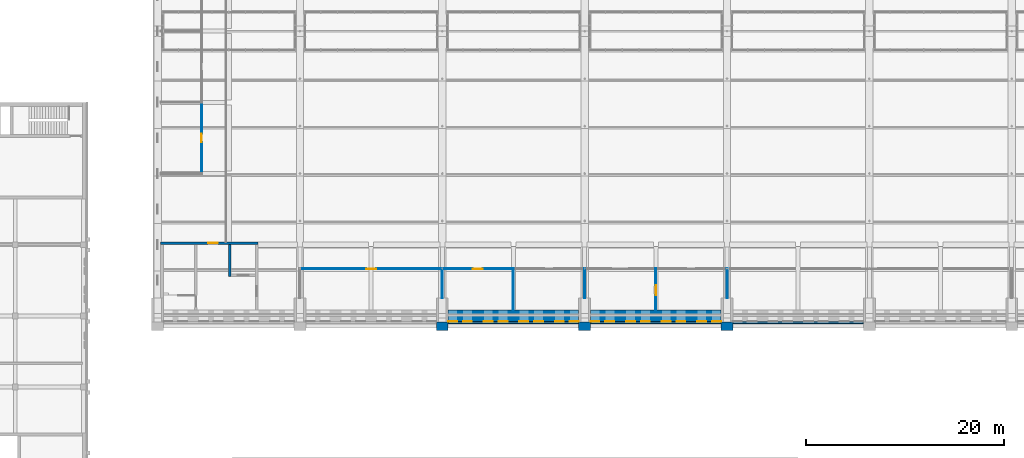
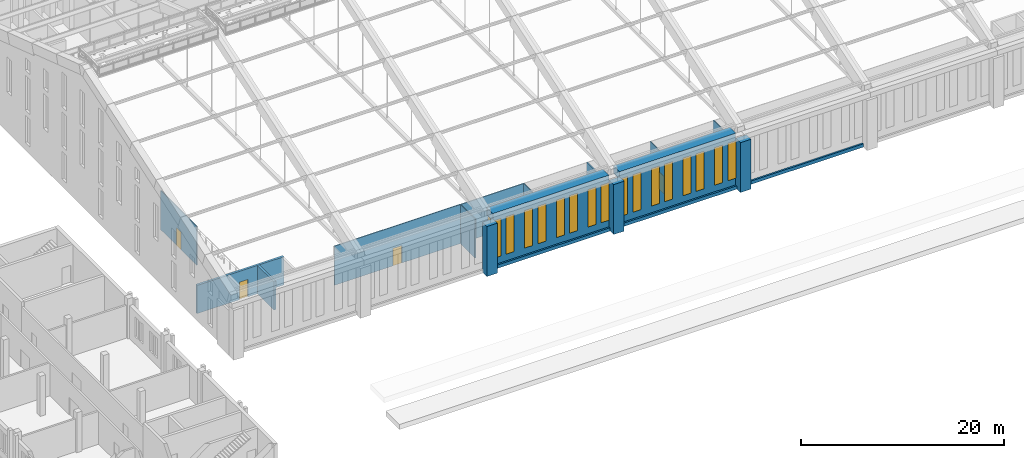
# One storey, part 124 of 149: 18 walls, 16 windows, 5 doors, 21 openings.
"""IFC4 building model written with IfcOpenShell, lengths in metres."""

from ifc_helpers import new_model, si_unit, direction, frame, frame_2d, origin, place, context, subcontext, project, spatial, rectangle, extrude, material, layer, layer_set, type_object, element, fill, save


model = new_model("IFC4")

# Units and contexts
model_context = context("Model", 3, precision=1e-05, world=origin(), true_north=direction((0.0, 1.0)))
body_context = subcontext(model_context, "Body", "Model", "MODEL_VIEW")
ifc_project = project(units=[si_unit("LENGTHUNIT", "METRE"), si_unit("AREAUNIT", "SQUARE_METRE"), si_unit("VOLUMEUNIT", "CUBIC_METRE"), si_unit("PLANEANGLEUNIT", "RADIAN"), si_unit("MASSUNIT", "GRAM", prefix="KILO")], contexts=[model_context])

# Site, building, storey
site_placement = place(None, origin())
site = spatial("IfcSite", under=ifc_project, at=site_placement, CompositionType="ELEMENT")
building_placement = place(site_placement, origin())
building = spatial("IfcBuilding", under=site, at=building_placement, Name="Alderwick Market Hall", CompositionType="ELEMENT")
storey_placement = place(building_placement, frame((0.0, 0.0, 9.60009765625)))
storey = spatial("IfcBuildingStorey", under=building, at=storey_placement, Name="L01", CompositionType="ELEMENT", Elevation=9.60009765625)

# Walls
ifc_material_1 = material(Name="Face brick masonry, ASTM C216 grade SW (f'm 17 MPa)", Category="masonry")
ifc_layer_1 = layer(ifc_material_1, 0.89990234375)
ifc_layer_set_1 = layer_set([ifc_layer_1], Name="Face brick masonry, ASTM C216 grade SW (f'm 17 MPa)")
wall_type_1 = type_object("IfcWallType", Name="H Buttress pier 900", PredefinedType="SOLIDWALL", material=ifc_layer_set_1)
for number, where, z_axis, x_axis, name in (
    (1, (78.60009765625, 49.35009765625, 0.0), (0.0, 0.0, 1.0), (1.0, 0.0, 0.0), "Buttress pier S3"),
    (2, (93.0, 49.35009765625, 0.0), (0.0, 0.0, 1.0), (1.0, 0.0, 0.0), "Buttress pier S4"),
):
    element("IfcWall", number, at=place(storey_placement, frame(where, z_axis=z_axis, x_axis=x_axis)), inside=storey, type_object=wall_type_1, Name=name, PredefinedType="SOLIDWALL", context=body_context, shape_type="SweptSolid", body=[
        extrude(rectangle(XDim=1.199951171875, YDim=0.89990234375, at=frame_2d((0.60009765625, 0.0))), origin(), (0.0, 0.0, 1.0), 6.0),
    ])
wall_1_placement = place(storey_placement, frame((107.39990234375, 49.35009765625, 0.0), z_axis=(0.0, 0.0, 1.0), x_axis=(1.0, 0.0, 0.0)))
element("IfcWall", 3, at=wall_1_placement, inside=storey, type_object=wall_type_1, Name="Buttress pier S5", PredefinedType="SOLIDWALL", context=body_context, shape_type="SweptSolid", body=[
    extrude(rectangle(XDim=1.2001953125, YDim=0.89990234375, at=frame_2d((0.60009765625, 0.0))), origin(), (0.0, 0.0, 1.0), 6.0),
])

# Wall, opening, door
ifc_material_2 = material(Name="Concrete 5000 psi (f'c 35 MPa)", Category="concrete")
ifc_layer_2 = layer(ifc_material_2, 0.25)
ifc_layer_set_2 = layer_set([ifc_layer_2], Name="Concrete 5000 psi (f'c 35 MPa)")
wall_type_2 = type_object("IfcWallType", Name="H Core wall 250", PredefinedType="SOLIDWALL", material=ifc_layer_set_2)
wall_2_placement = place(storey_placement, frame((50.699951171875, 57.764892578125, 0.0), z_axis=(0.0, 0.0, 1.0), x_axis=(1.0, 0.0, 0.0)))
wall_2 = element("IfcWall", 4, at=wall_2_placement, inside=storey, type_object=wall_type_2, Name="Core wall H-SW", PredefinedType="SOLIDWALL", context=body_context, shape_type="SweptSolid", body=[
    extrude(rectangle(XDim=9.85009765625, YDim=0.25, at=frame_2d((4.925048828125, 0.0))), origin(), (0.0, 0.0, 1.0), 3.39990234375),
])
opening_1_placement = place(wall_2_placement, frame((4.800048828125, 0.0, 0.0)))
opening_1 = element("IfcOpeningElement", 5, at=opening_1_placement, cuts=wall_2, Name="Opening H-D024", PredefinedType="OPENING", context=body_context, shape_type="SweptSolid", body=[
    extrude(rectangle(XDim=1.0, YDim=2.10009765625, at=frame_2d((0.5, 1.050048828125))), frame((0.0, 0.135009765625, 0.0), z_axis=(0.0, -1.0, 0.0), x_axis=(1.0, 0.0, 0.0)), (0.0, 0.0, 1.0), 0.27001953125),
])
ifc_material_3 = material(Name="Steel, fire-rated", Category="steel")
door_type_1 = type_object("IfcDoorType", Name="H Stair door FD90 1000x2100", OperationType="SINGLE_SWING_LEFT", PredefinedType="DOOR", material=ifc_material_3)
door_1_placement = place(opening_1_placement, origin())
door_1 = element("IfcDoor", 6, at=door_1_placement, inside=storey, type_object=door_type_1, Name="Door H-D024", OperationType="SINGLE_SWING_LEFT", OverallHeight=2.10009765625, OverallWidth=1.0, PredefinedType="DOOR", context=body_context, shape_type="SweptSolid", body=[
    extrude(rectangle(XDim=1.0, YDim=2.10009765625, at=frame_2d((0.5, 1.050048828125))), frame((0.0, 0.02490234375, 0.0), z_axis=(0.0, -1.0, 0.0), x_axis=(1.0, 0.0, 0.0)), (0.0, 0.0, 1.0), 0.050048828125),
])
fill(opening_1, door_1)

# Wall
wall_3_placement = place(storey_placement, frame((57.675048828125, 54.389892578125, 0.0), z_axis=(0.0, 0.0, 1.0), x_axis=(0.0, 1.0, 0.0)))
element("IfcWall", 7, at=wall_3_placement, inside=storey, type_object=wall_type_2, Name="Core wall H-SW", PredefinedType="SOLIDWALL", context=body_context, shape_type="SweptSolid", body=[
    extrude(rectangle(XDim=3.25, YDim=0.25, at=frame_2d((1.625, 0.0))), origin(), (0.0, 0.0, 1.0), 3.39990234375),
])

# Wall, openings, windows
ifc_layer_3 = layer(ifc_material_2, 1.199951171875)
ifc_layer_set_3 = layer_set([ifc_layer_3], Name="Concrete 5000 psi (f'c 35 MPa)")
wall_type_3 = type_object("IfcWallType", Name="H Long wall 1200", PredefinedType="SOLIDWALL", material=ifc_layer_set_3)
wall_4_placement = place(storey_placement, frame((79.800048828125, 50.39990234375, 0.0), z_axis=(0.0, 0.0, 1.0), x_axis=(1.0, 0.0, 0.0)))
wall_4 = element("IfcWall", 8, at=wall_4_placement, inside=storey, type_object=wall_type_3, Name="Long wall S L01 3", PredefinedType="SOLIDWALL", context=body_context, shape_type="SweptSolid", body=[
    extrude(rectangle(XDim=13.199951171875, YDim=1.199951171875, at=frame_2d((6.60009765625, 0.0))), origin(), (0.0, 0.0, 1.0), 6.599853515625),
])
opening_2_placement = place(wall_4_placement, frame((0.0, 0.0, 1.199951171875)))
opening_2 = element("IfcOpeningElement", 9, at=opening_2_placement, cuts=wall_4, Name="Opening H-W069", PredefinedType="OPENING", context=body_context, shape_type="SweptSolid", body=[
    extrude(rectangle(XDim=0.89990234375, YDim=4.5, at=frame_2d((0.449951171875, 2.25))), frame((0.0, 0.60986328125, 0.0), z_axis=(0.0, -1.0, 0.0), x_axis=(1.0, 0.0, 0.0)), (0.0, 0.0, 1.0), 1.219970703125),
])
opening_3_placement = place(wall_4_placement, frame((1.5, 0.0, 1.199951171875)))
opening_3 = element("IfcOpeningElement", 10, at=opening_3_placement, cuts=wall_4, Name="Opening H-W070", PredefinedType="OPENING", context=body_context, shape_type="SweptSolid", body=[
    extrude(rectangle(XDim=0.89990234375, YDim=4.5, at=frame_2d((0.449951171875, 2.25))), frame((0.0, 0.60986328125, 0.0), z_axis=(0.0, -1.0, 0.0), x_axis=(1.0, 0.0, 0.0)), (0.0, 0.0, 1.0), 1.219970703125),
])
opening_4_placement = place(wall_4_placement, frame((3.60009765625, 0.0, 1.199951171875)))
opening_4 = element("IfcOpeningElement", 11, at=opening_4_placement, cuts=wall_4, Name="Opening H-W071", PredefinedType="OPENING", context=body_context, shape_type="SweptSolid", body=[
    extrude(rectangle(XDim=0.89990234375, YDim=4.5, at=frame_2d((0.449951171875, 2.25))), frame((0.0, 0.60986328125, 0.0), z_axis=(0.0, -1.0, 0.0), x_axis=(1.0, 0.0, 0.0)), (0.0, 0.0, 1.0), 1.219970703125),
])
opening_5_placement = place(wall_4_placement, frame((5.10009765625, 0.0, 1.199951171875)))
opening_5 = element("IfcOpeningElement", 12, at=opening_5_placement, cuts=wall_4, Name="Opening H-W072", PredefinedType="OPENING", context=body_context, shape_type="SweptSolid", body=[
    extrude(rectangle(XDim=0.89990234375, YDim=4.5, at=frame_2d((0.449951171875, 2.25))), frame((0.0, 0.60986328125, 0.0), z_axis=(0.0, -1.0, 0.0), x_axis=(1.0, 0.0, 0.0)), (0.0, 0.0, 1.0), 1.219970703125),
])
opening_6_placement = place(wall_4_placement, frame((7.199951171875, 0.0, 1.199951171875)))
opening_6 = element("IfcOpeningElement", 13, at=opening_6_placement, cuts=wall_4, Name="Opening H-W073", PredefinedType="OPENING", context=body_context, shape_type="SweptSolid", body=[
    extrude(rectangle(XDim=0.89990234375, YDim=4.5, at=frame_2d((0.449951171875, 2.25))), frame((0.0, 0.60986328125, 0.0), z_axis=(0.0, -1.0, 0.0), x_axis=(1.0, 0.0, 0.0)), (0.0, 0.0, 1.0), 1.219970703125),
])
opening_7_placement = place(wall_4_placement, frame((8.699951171875, 0.0, 1.199951171875)))
opening_7 = element("IfcOpeningElement", 14, at=opening_7_placement, cuts=wall_4, Name="Opening H-W074", PredefinedType="OPENING", context=body_context, shape_type="SweptSolid", body=[
    extrude(rectangle(XDim=0.89990234375, YDim=4.5, at=frame_2d((0.449951171875, 2.25))), frame((0.0, 0.60986328125, 0.0), z_axis=(0.0, -1.0, 0.0), x_axis=(1.0, 0.0, 0.0)), (0.0, 0.0, 1.0), 1.219970703125),
])
opening_8_placement = place(wall_4_placement, frame((10.800048828125, 0.0, 1.199951171875)))
opening_8 = element("IfcOpeningElement", 15, at=opening_8_placement, cuts=wall_4, Name="Opening H-W075", PredefinedType="OPENING", context=body_context, shape_type="SweptSolid", body=[
    extrude(rectangle(XDim=0.89990234375, YDim=4.5, at=frame_2d((0.449951171875, 2.25))), frame((0.0, 0.60986328125, 0.0), z_axis=(0.0, -1.0, 0.0), x_axis=(1.0, 0.0, 0.0)), (0.0, 0.0, 1.0), 1.219970703125),
])
opening_9_placement = place(wall_4_placement, frame((12.300048828125, 0.0, 1.199951171875)))
opening_9 = element("IfcOpeningElement", 16, at=opening_9_placement, cuts=wall_4, Name="Opening H-W076", PredefinedType="OPENING", context=body_context, shape_type="SweptSolid", body=[
    extrude(rectangle(XDim=0.89990234375, YDim=4.5, at=frame_2d((0.449951171875, 2.25))), frame((0.0, 0.60986328125, 0.0), z_axis=(0.0, -1.0, 0.0), x_axis=(1.0, 0.0, 0.0)), (0.0, 0.0, 1.0), 1.219970703125),
])
ifc_material_4 = material(Name="Aluminium frame with insulated glass", Category="aluminium")
window_type = type_object("IfcWindowType", Name="H Window 900x4500", PartitioningType="SINGLE_PANEL", PredefinedType="WINDOW", material=ifc_material_4)
window_1_placement = place(opening_2_placement, origin())
window_1 = element("IfcWindow", 17, at=window_1_placement, inside=storey, type_object=window_type, Name="Window H-W069", OverallHeight=4.5, OverallWidth=0.89990234375, PartitioningType="SINGLE_PANEL", PredefinedType="WINDOW", context=body_context, shape_type="SweptSolid", body=[
    extrude(rectangle(XDim=0.89990234375, YDim=4.5, at=frame_2d((0.449951171875, 2.25))), frame((0.0, -0.550048828125, 0.0), z_axis=(0.0, -1.0, 0.0), x_axis=(1.0, 0.0, 0.0)), (0.0, 0.0, 1.0), 0.06005859375),
])
fill(opening_2, window_1)
window_2_placement = place(opening_3_placement, origin())
window_2 = element("IfcWindow", 18, at=window_2_placement, inside=storey, type_object=window_type, Name="Window H-W070", OverallHeight=4.5, OverallWidth=0.89990234375, PartitioningType="SINGLE_PANEL", PredefinedType="WINDOW", context=body_context, shape_type="SweptSolid", body=[
    extrude(rectangle(XDim=0.89990234375, YDim=4.5, at=frame_2d((0.449951171875, 2.25))), frame((0.0, -0.550048828125, 0.0), z_axis=(0.0, -1.0, 0.0), x_axis=(1.0, 0.0, 0.0)), (0.0, 0.0, 1.0), 0.06005859375),
])
fill(opening_3, window_2)
window_3_placement = place(opening_4_placement, origin())
window_3 = element("IfcWindow", 19, at=window_3_placement, inside=storey, type_object=window_type, Name="Window H-W071", OverallHeight=4.5, OverallWidth=0.89990234375, PartitioningType="SINGLE_PANEL", PredefinedType="WINDOW", context=body_context, shape_type="SweptSolid", body=[
    extrude(rectangle(XDim=0.89990234375, YDim=4.5, at=frame_2d((0.449951171875, 2.25))), frame((0.0, -0.550048828125, 0.0), z_axis=(0.0, -1.0, 0.0), x_axis=(1.0, 0.0, 0.0)), (0.0, 0.0, 1.0), 0.06005859375),
])
fill(opening_4, window_3)
window_4_placement = place(opening_5_placement, origin())
window_4 = element("IfcWindow", 20, at=window_4_placement, inside=storey, type_object=window_type, Name="Window H-W072", OverallHeight=4.5, OverallWidth=0.89990234375, PartitioningType="SINGLE_PANEL", PredefinedType="WINDOW", context=body_context, shape_type="SweptSolid", body=[
    extrude(rectangle(XDim=0.89990234375, YDim=4.5, at=frame_2d((0.449951171875, 2.25))), frame((0.0, -0.550048828125, 0.0), z_axis=(0.0, -1.0, 0.0), x_axis=(1.0, 0.0, 0.0)), (0.0, 0.0, 1.0), 0.06005859375),
])
fill(opening_5, window_4)
window_5_placement = place(opening_6_placement, origin())
window_5 = element("IfcWindow", 21, at=window_5_placement, inside=storey, type_object=window_type, Name="Window H-W073", OverallHeight=4.5, OverallWidth=0.89990234375, PartitioningType="SINGLE_PANEL", PredefinedType="WINDOW", context=body_context, shape_type="SweptSolid", body=[
    extrude(rectangle(XDim=0.89990234375, YDim=4.5, at=frame_2d((0.449951171875, 2.25))), frame((0.0, -0.550048828125, 0.0), z_axis=(0.0, -1.0, 0.0), x_axis=(1.0, 0.0, 0.0)), (0.0, 0.0, 1.0), 0.06005859375),
])
fill(opening_6, window_5)
window_6_placement = place(opening_7_placement, origin())
window_6 = element("IfcWindow", 22, at=window_6_placement, inside=storey, type_object=window_type, Name="Window H-W074", OverallHeight=4.5, OverallWidth=0.89990234375, PartitioningType="SINGLE_PANEL", PredefinedType="WINDOW", context=body_context, shape_type="SweptSolid", body=[
    extrude(rectangle(XDim=0.89990234375, YDim=4.5, at=frame_2d((0.449951171875, 2.25))), frame((0.0, -0.550048828125, 0.0), z_axis=(0.0, -1.0, 0.0), x_axis=(1.0, 0.0, 0.0)), (0.0, 0.0, 1.0), 0.06005859375),
])
fill(opening_7, window_6)
window_7_placement = place(opening_8_placement, origin())
window_7 = element("IfcWindow", 23, at=window_7_placement, inside=storey, type_object=window_type, Name="Window H-W075", OverallHeight=4.5, OverallWidth=0.89990234375, PartitioningType="SINGLE_PANEL", PredefinedType="WINDOW", context=body_context, shape_type="SweptSolid", body=[
    extrude(rectangle(XDim=0.89990234375, YDim=4.5, at=frame_2d((0.449951171875, 2.25))), frame((0.0, -0.550048828125, 0.0), z_axis=(0.0, -1.0, 0.0), x_axis=(1.0, 0.0, 0.0)), (0.0, 0.0, 1.0), 0.06005859375),
])
fill(opening_8, window_7)
window_8_placement = place(opening_9_placement, origin())
window_8 = element("IfcWindow", 24, at=window_8_placement, inside=storey, type_object=window_type, Name="Window H-W076", OverallHeight=4.5, OverallWidth=0.89990234375, PartitioningType="SINGLE_PANEL", PredefinedType="WINDOW", context=body_context, shape_type="SweptSolid", body=[
    extrude(rectangle(XDim=0.89990234375, YDim=4.5, at=frame_2d((0.449951171875, 2.25))), frame((0.0, -0.550048828125, 0.0), z_axis=(0.0, -1.0, 0.0), x_axis=(1.0, 0.0, 0.0)), (0.0, 0.0, 1.0), 0.06005859375),
])
fill(opening_9, window_8)

wall_5_placement = place(storey_placement, frame((94.199951171875, 50.39990234375, 0.0), z_axis=(0.0, 0.0, 1.0), x_axis=(1.0, 0.0, 0.0)))
wall_5 = element("IfcWall", 25, at=wall_5_placement, inside=storey, type_object=wall_type_3, Name="Long wall S L01 4", PredefinedType="SOLIDWALL", context=body_context, shape_type="SweptSolid", body=[
    extrude(rectangle(XDim=13.199951171875, YDim=1.199951171875, at=frame_2d((6.60009765625, 0.0))), origin(), (0.0, 0.0, 1.0), 6.599853515625),
])
opening_10_placement = place(wall_5_placement, frame((0.0, 0.0, 1.199951171875)))
opening_10 = element("IfcOpeningElement", 26, at=opening_10_placement, cuts=wall_5, Name="Opening H-W077", PredefinedType="OPENING", context=body_context, shape_type="SweptSolid", body=[
    extrude(rectangle(XDim=0.89990234375, YDim=4.5, at=frame_2d((0.449951171875, 2.25))), frame((0.0, 0.60986328125, 0.0), z_axis=(0.0, -1.0, 0.0), x_axis=(1.0, 0.0, 0.0)), (0.0, 0.0, 1.0), 1.219970703125),
])
opening_11_placement = place(wall_5_placement, frame((1.5, 0.0, 1.199951171875)))
opening_11 = element("IfcOpeningElement", 27, at=opening_11_placement, cuts=wall_5, Name="Opening H-W078", PredefinedType="OPENING", context=body_context, shape_type="SweptSolid", body=[
    extrude(rectangle(XDim=0.89990234375, YDim=4.5, at=frame_2d((0.449951171875, 2.25))), frame((0.0, 0.60986328125, 0.0), z_axis=(0.0, -1.0, 0.0), x_axis=(1.0, 0.0, 0.0)), (0.0, 0.0, 1.0), 1.219970703125),
])
opening_12_placement = place(wall_5_placement, frame((3.60009765625, 0.0, 1.199951171875)))
opening_12 = element("IfcOpeningElement", 28, at=opening_12_placement, cuts=wall_5, Name="Opening H-W079", PredefinedType="OPENING", context=body_context, shape_type="SweptSolid", body=[
    extrude(rectangle(XDim=0.89990234375, YDim=4.5, at=frame_2d((0.449951171875, 2.25))), frame((0.0, 0.60986328125, 0.0), z_axis=(0.0, -1.0, 0.0), x_axis=(1.0, 0.0, 0.0)), (0.0, 0.0, 1.0), 1.219970703125),
])
opening_13_placement = place(wall_5_placement, frame((5.10009765625, 0.0, 1.199951171875)))
opening_13 = element("IfcOpeningElement", 29, at=opening_13_placement, cuts=wall_5, Name="Opening H-W080", PredefinedType="OPENING", context=body_context, shape_type="SweptSolid", body=[
    extrude(rectangle(XDim=0.89990234375, YDim=4.5, at=frame_2d((0.449951171875, 2.25))), frame((0.0, 0.60986328125, 0.0), z_axis=(0.0, -1.0, 0.0), x_axis=(1.0, 0.0, 0.0)), (0.0, 0.0, 1.0), 1.219970703125),
])
opening_14_placement = place(wall_5_placement, frame((7.199951171875, 0.0, 1.199951171875)))
opening_14 = element("IfcOpeningElement", 30, at=opening_14_placement, cuts=wall_5, Name="Opening H-W081", PredefinedType="OPENING", context=body_context, shape_type="SweptSolid", body=[
    extrude(rectangle(XDim=0.89990234375, YDim=4.5, at=frame_2d((0.449951171875, 2.25))), frame((0.0, 0.60986328125, 0.0), z_axis=(0.0, -1.0, 0.0), x_axis=(1.0, 0.0, 0.0)), (0.0, 0.0, 1.0), 1.219970703125),
])
opening_15_placement = place(wall_5_placement, frame((8.699951171875, 0.0, 1.199951171875)))
opening_15 = element("IfcOpeningElement", 31, at=opening_15_placement, cuts=wall_5, Name="Opening H-W082", PredefinedType="OPENING", context=body_context, shape_type="SweptSolid", body=[
    extrude(rectangle(XDim=0.89990234375, YDim=4.5, at=frame_2d((0.449951171875, 2.25))), frame((0.0, 0.60986328125, 0.0), z_axis=(0.0, -1.0, 0.0), x_axis=(1.0, 0.0, 0.0)), (0.0, 0.0, 1.0), 1.219970703125),
])
opening_16_placement = place(wall_5_placement, frame((10.800048828125, 0.0, 1.199951171875)))
opening_16 = element("IfcOpeningElement", 32, at=opening_16_placement, cuts=wall_5, Name="Opening H-W083", PredefinedType="OPENING", context=body_context, shape_type="SweptSolid", body=[
    extrude(rectangle(XDim=0.89990234375, YDim=4.5, at=frame_2d((0.449951171875, 2.25))), frame((0.0, 0.60986328125, 0.0), z_axis=(0.0, -1.0, 0.0), x_axis=(1.0, 0.0, 0.0)), (0.0, 0.0, 1.0), 1.219970703125),
])
opening_17_placement = place(wall_5_placement, frame((12.300048828125, 0.0, 1.199951171875)))
opening_17 = element("IfcOpeningElement", 33, at=opening_17_placement, cuts=wall_5, Name="Opening H-W084", PredefinedType="OPENING", context=body_context, shape_type="SweptSolid", body=[
    extrude(rectangle(XDim=0.89990234375, YDim=4.5, at=frame_2d((0.449951171875, 2.25))), frame((0.0, 0.60986328125, 0.0), z_axis=(0.0, -1.0, 0.0), x_axis=(1.0, 0.0, 0.0)), (0.0, 0.0, 1.0), 1.219970703125),
])
window_9_placement = place(opening_10_placement, origin())
window_9 = element("IfcWindow", 34, at=window_9_placement, inside=storey, type_object=window_type, Name="Window H-W077", OverallHeight=4.5, OverallWidth=0.89990234375, PartitioningType="SINGLE_PANEL", PredefinedType="WINDOW", context=body_context, shape_type="SweptSolid", body=[
    extrude(rectangle(XDim=0.89990234375, YDim=4.5, at=frame_2d((0.449951171875, 2.25))), frame((0.0, -0.550048828125, 0.0), z_axis=(0.0, -1.0, 0.0), x_axis=(1.0, 0.0, 0.0)), (0.0, 0.0, 1.0), 0.06005859375),
])
fill(opening_10, window_9)
window_10_placement = place(opening_11_placement, origin())
window_10 = element("IfcWindow", 35, at=window_10_placement, inside=storey, type_object=window_type, Name="Window H-W078", OverallHeight=4.5, OverallWidth=0.89990234375, PartitioningType="SINGLE_PANEL", PredefinedType="WINDOW", context=body_context, shape_type="SweptSolid", body=[
    extrude(rectangle(XDim=0.89990234375, YDim=4.5, at=frame_2d((0.449951171875, 2.25))), frame((0.0, -0.550048828125, 0.0), z_axis=(0.0, -1.0, 0.0), x_axis=(1.0, 0.0, 0.0)), (0.0, 0.0, 1.0), 0.06005859375),
])
fill(opening_11, window_10)
window_11_placement = place(opening_12_placement, origin())
window_11 = element("IfcWindow", 36, at=window_11_placement, inside=storey, type_object=window_type, Name="Window H-W079", OverallHeight=4.5, OverallWidth=0.89990234375, PartitioningType="SINGLE_PANEL", PredefinedType="WINDOW", context=body_context, shape_type="SweptSolid", body=[
    extrude(rectangle(XDim=0.89990234375, YDim=4.5, at=frame_2d((0.449951171875, 2.25))), frame((0.0, -0.550048828125, 0.0), z_axis=(0.0, -1.0, 0.0), x_axis=(1.0, 0.0, 0.0)), (0.0, 0.0, 1.0), 0.06005859375),
])
fill(opening_12, window_11)
window_12_placement = place(opening_13_placement, origin())
window_12 = element("IfcWindow", 37, at=window_12_placement, inside=storey, type_object=window_type, Name="Window H-W080", OverallHeight=4.5, OverallWidth=0.89990234375, PartitioningType="SINGLE_PANEL", PredefinedType="WINDOW", context=body_context, shape_type="SweptSolid", body=[
    extrude(rectangle(XDim=0.89990234375, YDim=4.5, at=frame_2d((0.449951171875, 2.25))), frame((0.0, -0.550048828125, 0.0), z_axis=(0.0, -1.0, 0.0), x_axis=(1.0, 0.0, 0.0)), (0.0, 0.0, 1.0), 0.06005859375),
])
fill(opening_13, window_12)
window_13_placement = place(opening_14_placement, origin())
window_13 = element("IfcWindow", 38, at=window_13_placement, inside=storey, type_object=window_type, Name="Window H-W081", OverallHeight=4.5, OverallWidth=0.89990234375, PartitioningType="SINGLE_PANEL", PredefinedType="WINDOW", context=body_context, shape_type="SweptSolid", body=[
    extrude(rectangle(XDim=0.89990234375, YDim=4.5, at=frame_2d((0.449951171875, 2.25))), frame((0.0, -0.550048828125, 0.0), z_axis=(0.0, -1.0, 0.0), x_axis=(1.0, 0.0, 0.0)), (0.0, 0.0, 1.0), 0.06005859375),
])
fill(opening_14, window_13)
window_14_placement = place(opening_15_placement, origin())
window_14 = element("IfcWindow", 39, at=window_14_placement, inside=storey, type_object=window_type, Name="Window H-W082", OverallHeight=4.5, OverallWidth=0.89990234375, PartitioningType="SINGLE_PANEL", PredefinedType="WINDOW", context=body_context, shape_type="SweptSolid", body=[
    extrude(rectangle(XDim=0.89990234375, YDim=4.5, at=frame_2d((0.449951171875, 2.25))), frame((0.0, -0.550048828125, 0.0), z_axis=(0.0, -1.0, 0.0), x_axis=(1.0, 0.0, 0.0)), (0.0, 0.0, 1.0), 0.06005859375),
])
fill(opening_15, window_14)
window_15_placement = place(opening_16_placement, origin())
window_15 = element("IfcWindow", 40, at=window_15_placement, inside=storey, type_object=window_type, Name="Window H-W083", OverallHeight=4.5, OverallWidth=0.89990234375, PartitioningType="SINGLE_PANEL", PredefinedType="WINDOW", context=body_context, shape_type="SweptSolid", body=[
    extrude(rectangle(XDim=0.89990234375, YDim=4.5, at=frame_2d((0.449951171875, 2.25))), frame((0.0, -0.550048828125, 0.0), z_axis=(0.0, -1.0, 0.0), x_axis=(1.0, 0.0, 0.0)), (0.0, 0.0, 1.0), 0.06005859375),
])
fill(opening_16, window_15)
window_16_placement = place(opening_17_placement, origin())
window_16 = element("IfcWindow", 41, at=window_16_placement, inside=storey, type_object=window_type, Name="Window H-W084", OverallHeight=4.5, OverallWidth=0.89990234375, PartitioningType="SINGLE_PANEL", PredefinedType="WINDOW", context=body_context, shape_type="SweptSolid", body=[
    extrude(rectangle(XDim=0.89990234375, YDim=4.5, at=frame_2d((0.449951171875, 2.25))), frame((0.0, -0.550048828125, 0.0), z_axis=(0.0, -1.0, 0.0), x_axis=(1.0, 0.0, 0.0)), (0.0, 0.0, 1.0), 0.06005859375),
])
fill(opening_17, window_16)

# Walls
ifc_material_5 = material(Name="Gypsum board partition")
ifc_layer_4 = layer(ifc_material_5, 0.10009765625)
ifc_layer_set_4 = layer_set([ifc_layer_4], Name="Gypsum board partition")
wall_type_4 = type_object("IfcWallType", Name="H Partition 100", PredefinedType="PARTITIONING", material=ifc_layer_set_4)
wall_6_placement = place(storey_placement, frame((79.199951171875, 52.199951171875, 0.0), z_axis=(0.0, 0.0, 1.0), x_axis=(0.0, 1.0, 0.0)))
element("IfcWall", 42, at=wall_6_placement, inside=storey, type_object=wall_type_4, Name="Partition", PredefinedType="PARTITIONING", context=body_context, shape_type="SweptSolid", body=[
    extrude(rectangle(XDim=3.0, YDim=0.10009765625, at=frame_2d((1.5, 0.0))), origin(), (0.0, 0.0, 1.0), 4.699951171875),
])
wall_7_placement = place(storey_placement, frame((86.39990234375, 51.0, 0.0), z_axis=(0.0, 0.0, 1.0), x_axis=(0.0, 1.0, 0.0)))
element("IfcWall", 43, at=wall_7_placement, inside=storey, type_object=wall_type_4, Name="Partition", PredefinedType="PARTITIONING", context=body_context, shape_type="SweptSolid", body=[
    extrude(rectangle(XDim=4.199951171875, YDim=0.10009765625, at=frame_2d((2.10009765625, 0.0))), origin(), (0.0, 0.0, 1.0), 4.699951171875),
])
wall_8_placement = place(storey_placement, frame((93.60009765625, 52.199951171875, 0.0), z_axis=(0.0, 0.0, 1.0), x_axis=(0.0, 1.0, 0.0)))
element("IfcWall", 44, at=wall_8_placement, inside=storey, type_object=wall_type_4, Name="Partition", PredefinedType="PARTITIONING", context=body_context, shape_type="SweptSolid", body=[
    extrude(rectangle(XDim=3.0, YDim=0.10009765625, at=frame_2d((1.5, 0.0))), origin(), (0.0, 0.0, 1.0), 4.699951171875),
])

# Wall, opening, door
wall_9_placement = place(storey_placement, frame((100.800048828125, 51.0, 0.0), z_axis=(0.0, 0.0, 1.0), x_axis=(0.0, 1.0, 0.0)))
wall_9 = element("IfcWall", 45, at=wall_9_placement, inside=storey, type_object=wall_type_4, Name="Partition", PredefinedType="PARTITIONING", context=body_context, shape_type="SweptSolid", body=[
    extrude(rectangle(XDim=4.199951171875, YDim=0.10009765625, at=frame_2d((2.10009765625, 0.0))), origin(), (0.0, 0.0, 1.0), 4.699951171875),
])
opening_18_placement = place(wall_9_placement, frame((1.5, 0.0, 0.0)))
opening_18 = element("IfcOpeningElement", 46, at=opening_18_placement, cuts=wall_9, Name="Opening H-D087", PredefinedType="OPENING", context=body_context, shape_type="SweptSolid", body=[
    extrude(rectangle(XDim=1.0, YDim=2.10009765625, at=frame_2d((0.5, 1.050048828125))), frame((0.0, 0.06005859375, 0.0), z_axis=(0.0, -1.0, 0.0), x_axis=(1.0, 0.0, 0.0)), (0.0, 0.0, 1.0), 0.1201171875),
])
ifc_material_6 = material(Name="Timber, solid core", Category="wood")
door_type_2 = type_object("IfcDoorType", Name="H Room door 1000x2100", OperationType="SINGLE_SWING_LEFT", PredefinedType="DOOR", material=ifc_material_6)
door_2_placement = place(opening_18_placement, origin())
door_2 = element("IfcDoor", 47, at=door_2_placement, inside=storey, type_object=door_type_2, Name="Door H-D087", OperationType="SINGLE_SWING_LEFT", OverallHeight=2.10009765625, OverallWidth=1.0, PredefinedType="DOOR", context=body_context, shape_type="SweptSolid", body=[
    extrude(rectangle(XDim=1.0, YDim=2.10009765625, at=frame_2d((0.5, 1.050048828125))), frame((0.0, 0.02490234375, 0.0), z_axis=(0.0, -1.0, 0.0), x_axis=(1.0, 0.0, 0.0)), (0.0, 0.0, 1.0), 0.050048828125),
])
fill(opening_18, door_2)

# Wall
wall_10_placement = place(storey_placement, frame((108.0, 52.199951171875, 0.0), z_axis=(0.0, 0.0, 1.0), x_axis=(0.0, 1.0, 0.0)))
element("IfcWall", 48, at=wall_10_placement, inside=storey, type_object=wall_type_4, Name="Partition", PredefinedType="PARTITIONING", context=body_context, shape_type="SweptSolid", body=[
    extrude(rectangle(XDim=3.0, YDim=0.10009765625, at=frame_2d((1.5, 0.0))), origin(), (0.0, 0.0, 1.0), 4.699951171875),
])

# Wall, opening, door
wall_11_placement = place(storey_placement, frame((64.85009765625, 55.14990234375, 0.0), z_axis=(0.0, 0.0, 1.0), x_axis=(1.0, 0.0, 0.0)))
wall_11 = element("IfcWall", 49, at=wall_11_placement, inside=storey, type_object=wall_type_4, Name="Partition", PredefinedType="PARTITIONING", context=body_context, shape_type="SweptSolid", body=[
    extrude(rectangle(XDim=14.2998046875, YDim=0.10009765625, at=frame_2d((7.14990234375, 0.0))), origin(), (0.0, 0.0, 1.0), 4.699951171875),
])
opening_19_placement = place(wall_11_placement, frame((6.64990234375, 0.0, 0.0)))
opening_19 = element("IfcOpeningElement", 50, at=opening_19_placement, cuts=wall_11, Name="Opening H-D082", PredefinedType="OPENING", context=body_context, shape_type="SweptSolid", body=[
    extrude(rectangle(XDim=1.0, YDim=2.10009765625, at=frame_2d((0.5, 1.050048828125))), frame((0.0, 0.06005859375, 0.0), z_axis=(0.0, -1.0, 0.0), x_axis=(1.0, 0.0, 0.0)), (0.0, 0.0, 1.0), 0.1201171875),
])
door_3_placement = place(opening_19_placement, origin())
door_3 = element("IfcDoor", 51, at=door_3_placement, inside=storey, type_object=door_type_2, Name="Door H-D082", OperationType="SINGLE_SWING_LEFT", OverallHeight=2.10009765625, OverallWidth=1.0, PredefinedType="DOOR", context=body_context, shape_type="SweptSolid", body=[
    extrude(rectangle(XDim=1.0, YDim=2.10009765625, at=frame_2d((0.5, 1.050048828125))), frame((0.0, 0.02490234375, 0.0), z_axis=(0.0, -1.0, 0.0), x_axis=(1.0, 0.0, 0.0)), (0.0, 0.0, 1.0), 0.050048828125),
])
fill(opening_19, door_3)

wall_12_placement = place(storey_placement, frame((79.25, 55.14990234375, 0.0), z_axis=(0.0, 0.0, 1.0), x_axis=(1.0, 0.0, 0.0)))
wall_12 = element("IfcWall", 52, at=wall_12_placement, inside=storey, type_object=wall_type_4, Name="Partition", PredefinedType="PARTITIONING", context=body_context, shape_type="SweptSolid", body=[
    extrude(rectangle(XDim=7.10009765625, YDim=0.10009765625, at=frame_2d((3.550048828125, 0.0))), origin(), (0.0, 0.0, 1.0), 4.699951171875),
])
opening_20_placement = place(wall_12_placement, frame((3.050048828125, 0.0, 0.0)))
opening_20 = element("IfcOpeningElement", 53, at=opening_20_placement, cuts=wall_12, Name="Opening H-D083", PredefinedType="OPENING", context=body_context, shape_type="SweptSolid", body=[
    extrude(rectangle(XDim=1.0, YDim=2.10009765625, at=frame_2d((0.5, 1.050048828125))), frame((0.0, 0.06005859375, 0.0), z_axis=(0.0, -1.0, 0.0), x_axis=(1.0, 0.0, 0.0)), (0.0, 0.0, 1.0), 0.1201171875),
])
door_4_placement = place(opening_20_placement, origin())
door_4 = element("IfcDoor", 54, at=door_4_placement, inside=storey, type_object=door_type_2, Name="Door H-D083", OperationType="SINGLE_SWING_LEFT", OverallHeight=2.10009765625, OverallWidth=1.0, PredefinedType="DOOR", context=body_context, shape_type="SweptSolid", body=[
    extrude(rectangle(XDim=1.0, YDim=2.10009765625, at=frame_2d((0.5, 1.050048828125))), frame((0.0, 0.02490234375, 0.0), z_axis=(0.0, -1.0, 0.0), x_axis=(1.0, 0.0, 0.0)), (0.0, 0.0, 1.0), 0.050048828125),
])
fill(opening_20, door_4)

wall_13_placement = place(storey_placement, frame((54.85009765625, 64.85009765625, 0.0), z_axis=(0.0, 0.0, 1.0), x_axis=(0.0, 1.0, 0.0)))
wall_13 = element("IfcWall", 55, at=wall_13_placement, inside=storey, type_object=wall_type_4, Name="Partition", PredefinedType="PARTITIONING", context=body_context, shape_type="SweptSolid", body=[
    extrude(rectangle(XDim=7.099853515625, YDim=0.10009765625, at=frame_2d((3.5498046875, 0.0))), origin(), (0.0, 0.0, 1.0), 4.699951171875),
])
opening_21_placement = place(wall_13_placement, frame((3.10009765625, 0.0, 0.0)))
opening_21 = element("IfcOpeningElement", 56, at=opening_21_placement, cuts=wall_13, Name="Opening H-D094", PredefinedType="OPENING", context=body_context, shape_type="SweptSolid", body=[
    extrude(rectangle(XDim=0.89990234375, YDim=2.10009765625, at=frame_2d((0.449951171875, 1.050048828125))), frame((0.0, 0.06005859375, 0.0), z_axis=(0.0, -1.0, 0.0), x_axis=(1.0, 0.0, 0.0)), (0.0, 0.0, 1.0), 0.1201171875),
])
door_type_3 = type_object("IfcDoorType", Name="H WC door 900x2100", OperationType="SINGLE_SWING_LEFT", PredefinedType="DOOR", material=ifc_material_6)
door_5_placement = place(opening_21_placement, origin())
door_5 = element("IfcDoor", 57, at=door_5_placement, inside=storey, type_object=door_type_3, Name="Door H-D094", OperationType="SINGLE_SWING_LEFT", OverallHeight=2.10009765625, OverallWidth=0.89990234375, PredefinedType="DOOR", context=body_context, shape_type="SweptSolid", body=[
    extrude(rectangle(XDim=0.89990234375, YDim=2.10009765625, at=frame_2d((0.449951171875, 1.050048828125))), frame((0.0, 0.02490234375, 0.0), z_axis=(0.0, -1.0, 0.0), x_axis=(1.0, 0.0, 0.0)), (0.0, 0.0, 1.0), 0.050048828125),
])
fill(opening_21, door_5)

# Walls
ifc_material_7 = material(Name="Cast stone 5000 psi (f'c 35 MPa), ASTM C1364", Category="masonry")
ifc_layer_5 = layer(ifc_material_7, 0.199951171875)
ifc_layer_set_5 = layer_set([ifc_layer_5], Name="Cast stone 5000 psi (f'c 35 MPa), ASTM C1364")
wall_type_5 = type_object("IfcWallType", Name="H String course 200", PredefinedType="SOLIDWALL", material=ifc_layer_set_5)
for number, where, z_axis, x_axis, name in (
    (58, (79.800048828125, 49.699951171875, 0.0), (0.0, 0.0, 1.0), (1.0, 0.0, 0.0), "String course S3"),
    (59, (94.199951171875, 49.699951171875, 0.0), (0.0, 0.0, 1.0), (1.0, 0.0, 0.0), "String course S4"),
    (60, (108.60009765625, 49.699951171875, 0.0), (0.0, 0.0, 1.0), (1.0, 0.0, 0.0), "String course S5"),
):
    element("IfcWall", number, at=place(storey_placement, frame(where, z_axis=z_axis, x_axis=x_axis)), inside=storey, type_object=wall_type_5, Name=name, PredefinedType="SOLIDWALL", context=body_context, shape_type="SweptSolid", body=[
        extrude(rectangle(XDim=13.199951171875, YDim=0.199951171875, at=frame_2d((6.60009765625, 0.0))), origin(), (0.0, 0.0, 1.0), 0.39990234375),
    ])

save(model, "model.ifc")
